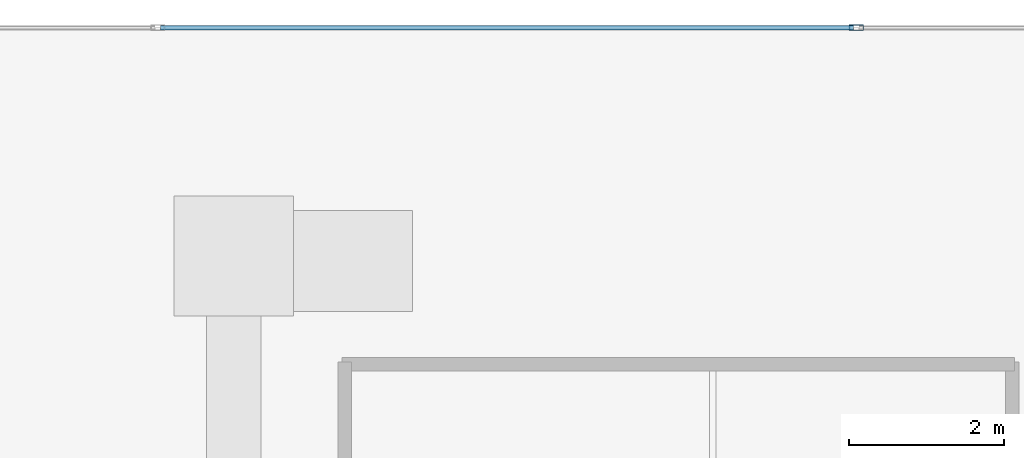
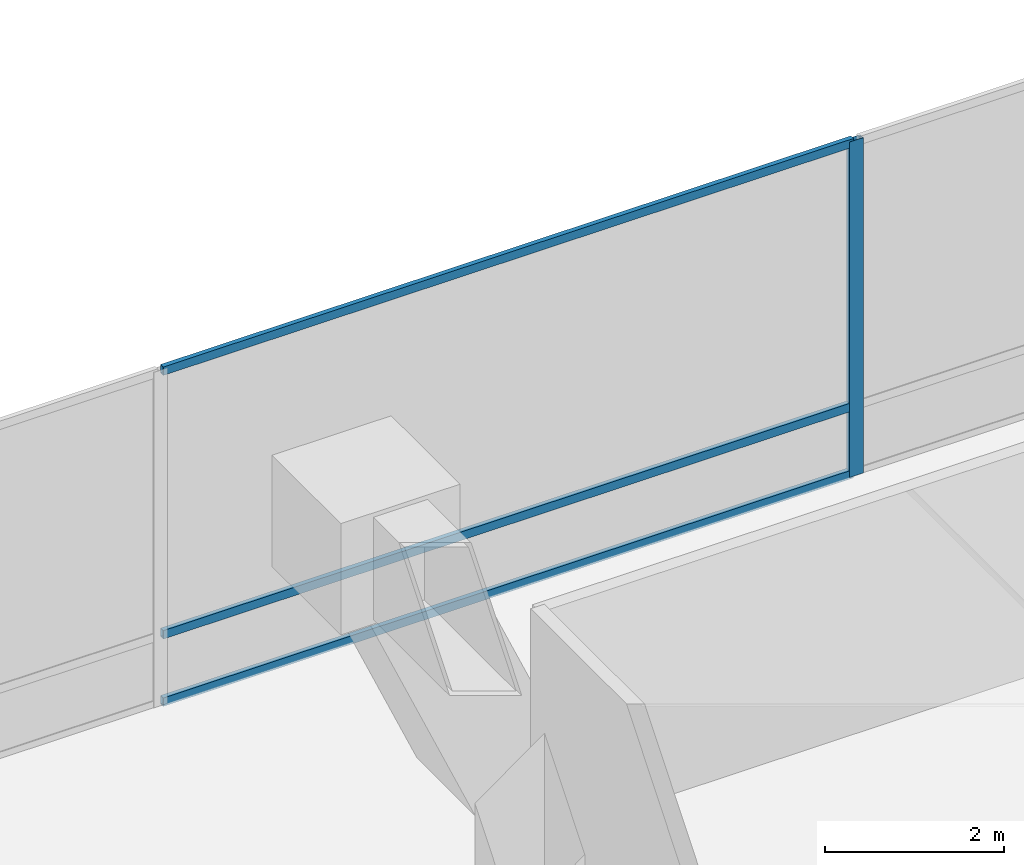
# One storey, part 24 of 45: 4 members, 1 element without a shape of its own.
"""IFC4 building model written with IfcOpenShell, lengths in metres."""

from ifc_helpers import new_model, si_unit, direction, frame, origin, origin_2d, place, context, subcontext, project, spatial, hollow_rectangle, extrude, material, layer, layer_set, material_profile, profile_set, type_object, element, aggregate, save


model = new_model("IFC4")

# Units and contexts
model_context = context("Model", 3, precision=1e-05, world=origin(), true_north=direction((0.0, 1.0)))
body_context = subcontext(model_context, "Body", "Model", "MODEL_VIEW")
ifc_project = project(units=[si_unit("LENGTHUNIT", "METRE"), si_unit("AREAUNIT", "SQUARE_METRE"), si_unit("VOLUMEUNIT", "CUBIC_METRE"), si_unit("PLANEANGLEUNIT", "RADIAN"), si_unit("MASSUNIT", "GRAM", prefix="KILO")], contexts=[model_context])

# Site, building, storey
site_placement = place(None, origin())
site = spatial("IfcSite", under=ifc_project, at=site_placement, CompositionType="ELEMENT")
building_placement = place(site_placement, origin())
building = spatial("IfcBuilding", under=site, at=building_placement, Name="Qianvela Tower", CompositionType="ELEMENT")
storey_placement = place(building_placement, frame((0.0, 0.0, 11.0)))
storey = spatial("IfcBuildingStorey", under=building, at=storey_placement, Name="L02", CompositionType="ELEMENT", Elevation=11.0)

# Curtain wall, members
ifc_material_1 = material(Name="Anodised Architectural Aluminium and Low-E Glass", Category="aluminium")
ifc_layer = layer(ifc_material_1, 0.179931640625)
ifc_layer_set = layer_set([ifc_layer], Name="Anodised Architectural Aluminium and Low-E Glass")
curtain_wall_type = type_object("IfcCurtainWallType", Name="CW-COMMONS", PredefinedType="USERDEFINED", material=ifc_layer_set)
curtain_wall_placement = place(storey_placement, origin())
curtain_wall = element("IfcCurtainWall", 1, at=curtain_wall_placement, inside=storey, type_object=curtain_wall_type, Name="L02 CW-COMMONS Curtain Wall 05", ObjectType="CURTAIN_WALL_SYSTEM", PredefinedType="USERDEFINED")
ifc_material_2 = material(Name="Anodised Architectural Aluminium 6063-T6", Category="aluminium")
ifc_material_profile_1 = material_profile(ifc_material_2, hollow_rectangle(XDim=0.070068359375, YDim=0.179931640625, WallThickness=0.0048828125, at=origin_2d()), Name="ALU-MULL-70x180")
ifc_profile_set_1 = profile_set([ifc_material_profile_1], Name="Anodised Architectural Aluminium 6063-T6")
member_type_1 = type_object("IfcMemberType", Name="CW-COMMONS-MULL", PredefinedType="MULLION", material=ifc_profile_set_1)
member_1_placement = place(storey_placement, frame((59.96435546875, 50.5, 0.0), z_axis=(0.0, 0.0, 1.0), x_axis=(0.0, -1.0, 0.0)))
member_1 = element("IfcMember", 2, at=member_1_placement, type_object=member_type_1, Name="CW-2 mullion 2", PredefinedType="MULLION", context=body_context, shape_type="SweptSolid", body=[
    extrude(hollow_rectangle(XDim=0.070068359375, YDim=0.179931640625, WallThickness=0.0048828125, at=origin_2d()), origin(), (0.0, 0.0, 1.0), 4.580078125),
])
ifc_material_3 = material(Name="Anodised Architectural Aluminium 6063-T6", Category="aluminium")
ifc_material_profile_2 = material_profile(ifc_material_3, hollow_rectangle(XDim=0.06005859375, YDim=0.114990234375, WallThickness=0.00390625, at=origin_2d()), Name="ALU-TRAN-60x115")
ifc_profile_set_2 = profile_set([ifc_material_profile_2], Name="Anodised Architectural Aluminium 6063-T6")
member_type_2 = type_object("IfcMemberType", Name="CW-COMMONS-TRAN", PredefinedType="USERDEFINED", material=ifc_profile_set_2)
member_2_placement = place(storey_placement, frame((59.92919921875, 50.5, 0.030029296875), z_axis=(-1.0, 0.0, 0.0), x_axis=(0.0, -1.0, 0.0)))
member_2 = element("IfcMember", 3, at=member_2_placement, type_object=member_type_2, Name="CW-2 transom 2.1", ObjectType="TRANSOM", PredefinedType="USERDEFINED", context=body_context, shape_type="SweptSolid", body=[
    extrude(hollow_rectangle(XDim=0.06005859375, YDim=0.114990234375, WallThickness=0.00390625, at=origin_2d()), origin(), (0.0, 0.0, 1.0), 8.91552734375),
])
member_3_placement = place(storey_placement, frame((59.92919921875, 50.5, 0.949951171875), z_axis=(-1.0, 0.0, 0.0), x_axis=(0.0, -1.0, 0.0)))
member_3 = element("IfcMember", 4, at=member_3_placement, type_object=member_type_2, Name="CW-2 transom 2.2", ObjectType="TRANSOM", PredefinedType="USERDEFINED", context=body_context, shape_type="SweptSolid", body=[
    extrude(hollow_rectangle(XDim=0.06005859375, YDim=0.114990234375, WallThickness=0.00390625, at=origin_2d()), origin(), (0.0, 0.0, 1.0), 8.91552734375),
])
member_4_placement = place(storey_placement, frame((59.92919921875, 50.5, 4.550048828125), z_axis=(-1.0, 0.0, 0.0), x_axis=(0.0, -1.0, 0.0)))
member_4 = element("IfcMember", 5, at=member_4_placement, type_object=member_type_2, Name="CW-2 transom 2.3", ObjectType="TRANSOM", PredefinedType="USERDEFINED", context=body_context, shape_type="SweptSolid", body=[
    extrude(hollow_rectangle(XDim=0.06005859375, YDim=0.114990234375, WallThickness=0.00390625, at=origin_2d()), origin(), (0.0, 0.0, 1.0), 8.91552734375),
])
aggregate(curtain_wall, [member_1, member_2, member_3, member_4])

save(model, "model.ifc")
